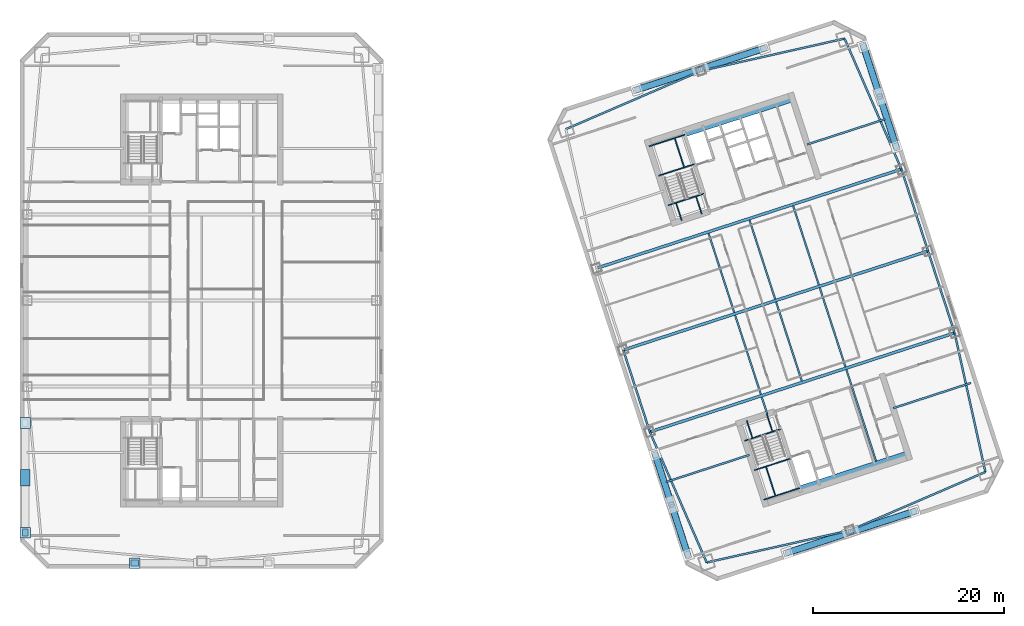
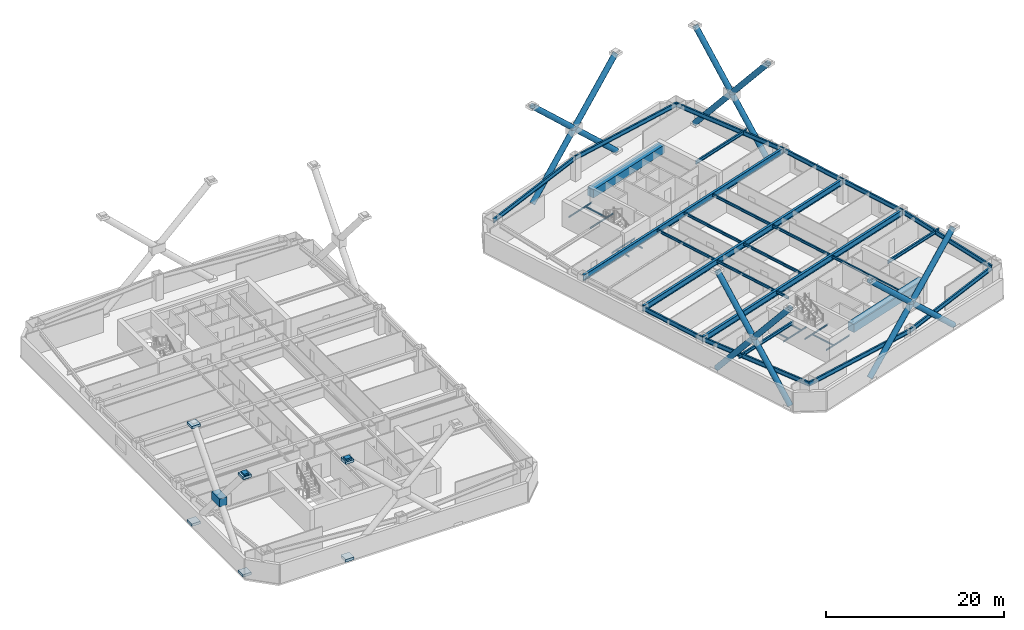
# One storey, part 2 of 12: 38 beams, 16 members, 9 plates.
"""IFC4 building model written with IfcOpenShell, lengths in metres."""

from ifc_helpers import new_model, si_unit, direction, frame, origin, origin_2d, place, context, subcontext, project, spatial, rectangle, hollow_circle, i_section, extrude, material, layer, layer_set, material_profile, profile_set, type_object, element, save


model = new_model("IFC4")

# Units and contexts
model_context = context("Model", 3, precision=1e-05, world=origin(), true_north=direction((0.0, 1.0)))
body_context = subcontext(model_context, "Body", "Model", "MODEL_VIEW")
ifc_project = project(units=[si_unit("LENGTHUNIT", "METRE"), si_unit("AREAUNIT", "SQUARE_METRE"), si_unit("VOLUMEUNIT", "CUBIC_METRE"), si_unit("PLANEANGLEUNIT", "RADIAN"), si_unit("MASSUNIT", "GRAM", prefix="KILO")], contexts=[model_context])

# Site, building, storey
site_placement = place(None, origin())
site = spatial("IfcSite", under=ifc_project, at=site_placement, CompositionType="ELEMENT")
building_placement = place(site_placement, origin())
building = spatial("IfcBuilding", under=site, at=building_placement, Name="Qiaolan Cultural Towers", CompositionType="ELEMENT")
storey_placement = place(building_placement, frame((0.0, 0.0, 106.949951171875)))
storey = spatial("IfcBuildingStorey", under=building, at=storey_placement, Name="L27", CompositionType="ELEMENT", Elevation=106.949951171875)

# Beams
ifc_material_1 = material(Name="Steel Q355B", Category="steel")
ifc_material_profile_1 = material_profile(ifc_material_1, i_section(OverallWidth=0.300048828125, OverallDepth=0.800048828125, WebThickness=0.013916015625, FlangeThickness=0.02587890625, at=origin_2d()), Name="HN800x300x14x26")
ifc_profile_set_1 = profile_set([ifc_material_profile_1], Name="Steel Q355B")
beam_type_1 = type_object("IfcBeamType", Name="BM-HN800x300x14x26", PredefinedType="BEAM", material=ifc_profile_set_1)
for number, where, z_axis, x_axis, name in (
    (1, (76.85107421875, 20.264404296875, 2.7900390625), (0.951056559899, 0.309016860175, 0.0), (-0.309016860175, 0.951056559899, 0.0), "L27 T2 Primary Transverse Girder V1"),
    (2, (74.06982421875, 28.823974609375, 2.7900390625), (0.951056559899, 0.309016860175, 0.0), (-0.309016860175, 0.951056559899, 0.0), "L27 T2 Primary Transverse Girder V2"),
    (3, (71.28857421875, 37.383544921875, 2.7900390625), (0.951056559899, 0.309016860175, 0.0), (-0.309016860175, 0.951056559899, 0.0), "L27 T2 Primary Transverse Girder V3"),
):
    element("IfcBeam", number, at=place(storey_placement, frame(where, z_axis=z_axis, x_axis=x_axis)), inside=storey, type_object=beam_type_1, Name=name, PredefinedType="BEAM", context=body_context, shape_type="SweptSolid", body=[
        extrude(i_section(OverallWidth=0.300048828125, OverallDepth=0.800048828125, WebThickness=0.013916015625, FlangeThickness=0.02587890625, at=origin_2d()), origin(), (0.0, 0.0, 1.0), 33.5),
    ])
ifc_material_2 = material(Name="Steel Q355B", Category="steel")
ifc_material_profile_2 = material_profile(ifc_material_2, i_section(OverallWidth=0.175048828125, OverallDepth=0.35009765625, WebThickness=0.007080078125, FlangeThickness=0.010986328125, at=origin_2d()), Name="HN350x175x7x11")
ifc_profile_set_2 = profile_set([ifc_material_profile_2], Name="Steel Q355B")
beam_type_2 = type_object("IfcBeamType", Name="BM-JST-HN350x175x7x11", PredefinedType="JOIST", material=ifc_profile_set_2)
beam_1_placement = place(storey_placement, frame((89.119384765625, 22.147705078125, 3.01513671875), z_axis=(-0.308933885266, 0.951083516067, 0.0), x_axis=(-0.951083516067, -0.308933885266, 0.0)))
element("IfcBeam", 4, at=beam_1_placement, inside=storey, type_object=beam_type_2, Name="L27 T2 Secondary Floor Joist U1-1", PredefinedType="JOIST", context=body_context, shape_type="SweptSolid", body=[
    extrude(i_section(OverallWidth=0.175048828125, OverallDepth=0.35009765625, WebThickness=0.007080078125, FlangeThickness=0.010986328125, at=origin_2d()), origin(), (0.0, 0.0, 1.0), 1.85009765625),
])
for number, where, z_axis, x_axis, name in (
    (5, (88.455078125, 24.192626953125, 3.01513671875), (-0.309020714809, 0.951055307445, 0.0), (-0.951055307445, -0.309020714809, 0.0), "L27 T2 Secondary Floor Joist U1-2"),
    (6, (85.673828125, 32.752197265625, 3.01513671875), (-0.309020714809, 0.951055307445, 0.0), (-0.951055307445, -0.309020714809, 0.0), "L27 T2 Secondary Floor Joist U1-3"),
    (7, (92.73486328125, 25.583251953125, 3.01513671875), (-0.309020714809, 0.951055307445, 0.0), (-0.951055307445, -0.309020714809, 0.0), "L27 T2 Secondary Floor Joist U2-2"),
    (8, (89.95361328125, 34.142578125, 3.01513671875), (-0.309020714809, 0.951055307445, 0.0), (-0.951055307445, -0.309020714809, 0.0), "L27 T2 Secondary Floor Joist U2-3"),
):
    element("IfcBeam", number, at=place(storey_placement, frame(where, z_axis=z_axis, x_axis=x_axis)), inside=storey, type_object=beam_type_2, Name=name, PredefinedType="JOIST", context=body_context, shape_type="SweptSolid", body=[
        extrude(i_section(OverallWidth=0.175048828125, OverallDepth=0.35009765625, WebThickness=0.007080078125, FlangeThickness=0.010986328125, at=origin_2d()), origin(), (0.0, 0.0, 1.0), 8.699951171875),
    ])
beam_2_placement = place(storey_placement, frame((100.498291015625, 17.222900390625, 3.01513671875), z_axis=(-0.309025649293, 0.951053704098, 0.0), x_axis=(-0.951053704098, -0.309025649293, 0.0)))
element("IfcBeam", 9, at=beam_2_placement, inside=storey, type_object=beam_type_2, Name="L27 T2 Secondary Floor Joist U3-1", PredefinedType="JOIST", context=body_context, shape_type="SweptSolid", body=[
    extrude(i_section(OverallWidth=0.175048828125, OverallDepth=0.35009765625, WebThickness=0.007080078125, FlangeThickness=0.010986328125, at=origin_2d()), origin(), (0.0, 0.0, 1.0), 10.050048828125),
])
for number, where, z_axis, x_axis, name in (
    (10, (97.2998046875, 27.06640625, 3.01513671875), (-0.309020714809, 0.951055307445, 0.0), (-0.951055307445, -0.309020714809, 0.0), "L27 T2 Secondary Floor Joist U3-2"),
    (11, (94.518798828125, 35.6259765625, 3.01513671875), (-0.309020714809, 0.951055307445, 0.0), (-0.951055307445, -0.309020714809, 0.0), "L27 T2 Secondary Floor Joist U3-3"),
):
    element("IfcBeam", number, at=place(storey_placement, frame(where, z_axis=z_axis, x_axis=x_axis)), inside=storey, type_object=beam_type_2, Name=name, PredefinedType="JOIST", context=body_context, shape_type="SweptSolid", body=[
        extrude(i_section(OverallWidth=0.175048828125, OverallDepth=0.35009765625, WebThickness=0.007080078125, FlangeThickness=0.010986328125, at=origin_2d()), origin(), (0.0, 0.0, 1.0), 8.699951171875),
    ])
ifc_material_3 = material(Name="Steel Q355B", Category="steel")
ifc_material_profile_3 = material_profile(ifc_material_3, i_section(OverallWidth=0.199951171875, OverallDepth=0.449951171875, WebThickness=0.009033203125, FlangeThickness=0.013916015625, at=origin_2d()), Name="HN450x200x9x14")
ifc_profile_set_3 = profile_set([ifc_material_profile_3], Name="Steel Q355B")
beam_type_3 = type_object("IfcBeamType", Name="BM-LNT-HN450x200x9x14", PredefinedType="LINTEL", material=ifc_profile_set_3)
beam_3_placement = place(storey_placement, frame((87.252685546875, 17.861083984375, 2.965087890625), z_axis=(-0.951059948176, -0.309006431933, 0.0), x_axis=(0.309006431933, -0.951059948176, 0.0)))
element("IfcBeam", 12, at=beam_3_placement, inside=storey, type_object=beam_type_3, Name="L27 T2 Core Flank Tie Lintel WS", PredefinedType="LINTEL", context=body_context, shape_type="SweptSolid", body=[
    extrude(i_section(OverallWidth=0.199951171875, OverallDepth=0.449951171875, WebThickness=0.009033203125, FlangeThickness=0.013916015625, at=origin_2d()), origin(), (0.0, 0.0, 1.0), 9.14990234375),
])
for number, where, z_axis, x_axis, name in (
    (13, (102.279296875, 22.74365234375, 2.965087890625), (0.951057358187, 0.309014403287, 0.0), (-0.309014403287, 0.951057358187, 0.0), "L27 T2 Core Flank Tie Lintel ES"),
    (14, (93.31787109375, 50.32421875, 2.965087890625), (0.951057358187, 0.309014403287, 0.0), (-0.309014403287, 0.951057358187, 0.0), "L27 T2 Core Flank Tie Lintel EN"),
):
    element("IfcBeam", number, at=place(storey_placement, frame(where, z_axis=z_axis, x_axis=x_axis)), inside=storey, type_object=beam_type_3, Name=name, PredefinedType="LINTEL", context=body_context, shape_type="SweptSolid", body=[
        extrude(i_section(OverallWidth=0.199951171875, OverallDepth=0.449951171875, WebThickness=0.009033203125, FlangeThickness=0.013916015625, at=origin_2d()), origin(), (0.0, 0.0, 1.0), 8.550048828125),
    ])
ifc_material_4 = material(Name="Concrete C50", Category="concrete")
ifc_material_profile_4 = material_profile(ifc_material_4, rectangle(XDim=0.89990234375, YDim=1.10009765625, at=origin_2d()), Name="RC900x1100")
ifc_profile_set_4 = profile_set([ifc_material_profile_4], Name="Concrete C50")
beam_type_4 = type_object("IfcBeamType", Name="BM-RC900x1100", PredefinedType="BEAM", material=ifc_profile_set_4)
for number, where, z_axis, x_axis, name in (
    (15, (92.572265625, 14.174560546875, 2.64013671875), (0.951056266386, 0.309017763514, 0.0), (-0.309017763514, 0.951056266386, 0.0), "L27 T2 Core Header Girder S"),
    (16, (80.427978515625, 51.551025390625, 2.64013671875), (0.951056266386, 0.309017763514, 0.0), (-0.309017763514, 0.951056266386, 0.0), "L27 T2 Core Header Girder N"),
):
    element("IfcBeam", number, at=place(storey_placement, frame(where, z_axis=z_axis, x_axis=x_axis)), inside=storey, type_object=beam_type_4, Name=name, PredefinedType="BEAM", context=body_context, shape_type="SweptSolid", body=[
        extrude(rectangle(XDim=0.89990234375, YDim=1.10009765625, at=origin_2d()), origin(), (0.0, 0.0, 1.0), 11.880126953125),
    ])
ifc_material_5 = material(Name="Steel Q355B", Category="steel")
ifc_material_profile_5 = material_profile(ifc_material_5, i_section(OverallWidth=0.199951171875, OverallDepth=0.60009765625, WebThickness=0.010986328125, FlangeThickness=0.01708984375, at=origin_2d()), Name="HN600x200x11x17")
ifc_profile_set_5 = profile_set([ifc_material_profile_5], Name="Steel Q355B")
beam_type_5 = type_object("IfcBeamType", Name="BM-SPD-HN600x200x11x17", PredefinedType="SPANDREL", material=ifc_profile_set_5)
beam_4_placement = place(storey_placement, frame((82.79052734375, 6.611572265625, 2.89013671875), z_axis=(0.975658154374, 0.219296980836, 0.0), x_axis=(-0.219296980836, 0.975658154374, 0.0)))
element("IfcBeam", 17, at=beam_4_placement, inside=storey, type_object=beam_type_5, Name="L27 T2 Perimeter Spandrel Beam 1", PredefinedType="SPANDREL", context=body_context, shape_type="SweptSolid", body=[
    extrude(i_section(OverallWidth=0.199951171875, OverallDepth=0.60009765625, WebThickness=0.010986328125, FlangeThickness=0.01708984375, at=origin_2d()), origin(), (0.0, 0.0, 1.0), 15.38671875),
])
beam_5_placement = place(storey_placement, frame((97.802734375, 9.98583984375, 2.89013671875), z_axis=(0.918217549337, 0.396076422032, 0.0), x_axis=(-0.396076422032, 0.918217549337, 0.0)))
element("IfcBeam", 18, at=beam_5_placement, inside=storey, type_object=beam_type_5, Name="L27 T2 Perimeter Spandrel Beam 2", PredefinedType="SPANDREL", context=body_context, shape_type="SweptSolid", body=[
    extrude(i_section(OverallWidth=0.199951171875, OverallDepth=0.60009765625, WebThickness=0.010986328125, FlangeThickness=0.01708984375, at=origin_2d()), origin(), (0.0, 0.0, 1.0), 15.386474609375),
])
beam_6_placement = place(storey_placement, frame((111.930908203125, 16.080078125, 2.89013671875), z_axis=(-0.216237644833, 0.976340760676, 0.0), x_axis=(-0.976340760676, -0.216237644833, 0.0)))
element("IfcBeam", 19, at=beam_6_placement, inside=storey, type_object=beam_type_5, Name="L27 T2 Perimeter Spandrel Beam 3", PredefinedType="SPANDREL", context=body_context, shape_type="SweptSolid", body=[
    extrude(i_section(OverallWidth=0.199951171875, OverallDepth=0.60009765625, WebThickness=0.010986328125, FlangeThickness=0.01708984375, at=origin_2d()), origin(), (0.0, 0.0, 1.0), 14.888671875),
])
for number, where, z_axis, x_axis, name in (
    (20, (108.71142578125, 30.616455078125, 2.89013671875), (-0.309024734286, 0.951054001411, 0.0), (-0.951054001411, -0.309024734286, 0.0), "L27 T2 Perimeter Spandrel Beam 4"),
    (21, (105.93017578125, 39.176025390625, 2.89013671875), (-0.309024734286, 0.951054001411, 0.0), (-0.951054001411, -0.309024734286, 0.0), "L27 T2 Perimeter Spandrel Beam 5"),
):
    element("IfcBeam", number, at=place(storey_placement, frame(where, z_axis=z_axis, x_axis=x_axis)), inside=storey, type_object=beam_type_5, Name=name, PredefinedType="SPANDREL", context=body_context, shape_type="SweptSolid", body=[
        extrude(i_section(OverallWidth=0.199951171875, OverallDepth=0.60009765625, WebThickness=0.010986328125, FlangeThickness=0.01708984375, at=origin_2d()), origin(), (0.0, 0.0, 1.0), 9.0),
    ])
beam_7_placement = place(storey_placement, frame((103.14892578125, 47.735595703125, 2.89013671875), z_axis=(-0.398920370799, 0.916985571185, 0.0), x_axis=(-0.916985571185, -0.398920370799, 0.0)))
element("IfcBeam", 22, at=beam_7_placement, inside=storey, type_object=beam_type_5, Name="L27 T2 Perimeter Spandrel Beam 6", PredefinedType="SPANDREL", context=body_context, shape_type="SweptSolid", body=[
    extrude(i_section(OverallWidth=0.199951171875, OverallDepth=0.60009765625, WebThickness=0.010986328125, FlangeThickness=0.01708984375, at=origin_2d()), origin(), (0.0, 0.0, 1.0), 14.888916015625),
])
beam_8_placement = place(storey_placement, frame((97.20947265625, 61.388427734375, 2.89013671875), z_axis=(-0.975658154374, -0.219296980836, 0.0), x_axis=(0.219296980836, -0.975658154374, 0.0)))
element("IfcBeam", 23, at=beam_8_placement, inside=storey, type_object=beam_type_5, Name="L27 T2 Perimeter Spandrel Beam 7", PredefinedType="SPANDREL", context=body_context, shape_type="SweptSolid", body=[
    extrude(i_section(OverallWidth=0.199951171875, OverallDepth=0.60009765625, WebThickness=0.010986328125, FlangeThickness=0.01708984375, at=origin_2d()), origin(), (0.0, 0.0, 1.0), 15.38671875),
])
beam_9_placement = place(storey_placement, frame((82.197265625, 58.01416015625, 2.89013671875), z_axis=(-0.918217549337, -0.396076422032, 0.0), x_axis=(0.396076422032, -0.918217549337, 0.0)))
element("IfcBeam", 24, at=beam_9_placement, inside=storey, type_object=beam_type_5, Name="L27 T2 Perimeter Spandrel Beam 8", PredefinedType="SPANDREL", context=body_context, shape_type="SweptSolid", body=[
    extrude(i_section(OverallWidth=0.199951171875, OverallDepth=0.60009765625, WebThickness=0.010986328125, FlangeThickness=0.01708984375, at=origin_2d()), origin(), (0.0, 0.0, 1.0), 15.386474609375),
])
beam_10_placement = place(storey_placement, frame((74.06982421875, 28.823974609375, 2.89013671875), z_axis=(0.309024734286, -0.951054001411, 0.0), x_axis=(0.951054001411, 0.309024734286, 0.0)))
element("IfcBeam", 25, at=beam_10_placement, inside=storey, type_object=beam_type_5, Name="L27 T2 Perimeter Spandrel Beam 11", PredefinedType="SPANDREL", context=body_context, shape_type="SweptSolid", body=[
    extrude(i_section(OverallWidth=0.199951171875, OverallDepth=0.60009765625, WebThickness=0.010986328125, FlangeThickness=0.01708984375, at=origin_2d()), origin(), (0.0, 0.0, 1.0), 9.0),
])
beam_11_placement = place(storey_placement, frame((76.85107421875, 20.264404296875, 2.89013671875), z_axis=(0.398920370799, -0.916985571185, 0.0), x_axis=(0.916985571185, 0.398920370799, 0.0)))
element("IfcBeam", 26, at=beam_11_placement, inside=storey, type_object=beam_type_5, Name="L27 T2 Perimeter Spandrel Beam 12", PredefinedType="SPANDREL", context=body_context, shape_type="SweptSolid", body=[
    extrude(i_section(OverallWidth=0.199951171875, OverallDepth=0.60009765625, WebThickness=0.010986328125, FlangeThickness=0.01708984375, at=origin_2d()), origin(), (0.0, 0.0, 1.0), 14.888916015625),
])
ifc_material_6 = material(Name="Steel Q355B", Category="steel")
ifc_material_profile_6 = material_profile(ifc_material_6, i_section(OverallWidth=0.10009765625, OverallDepth=0.199951171875, WebThickness=0.005615234375, FlangeThickness=0.008056640625, at=origin_2d()), Name="HN200x100x5.5x8")
ifc_profile_set_6 = profile_set([ifc_material_profile_6], Name="Steel Q355B")
beam_type_6 = type_object("IfcBeamType", Name="BM-STTRIM-200", PredefinedType="BEAM", material=ifc_profile_set_6)
beam_12_placement = place(storey_placement, frame((86.770751953125, 19.3447265625, -0.4599609375), z_axis=(0.951047798727, 0.309043823005, 0.0), x_axis=(-0.309043823005, 0.951047798727, 0.0)))
element("IfcBeam", 27, at=beam_12_placement, inside=storey, type_object=beam_type_6, Name="L27 ST-E1 Floor Landing Header Beam", PredefinedType="BEAM", context=body_context, shape_type="SweptSolid", body=[
    extrude(i_section(OverallWidth=0.10009765625, OverallDepth=0.199951171875, WebThickness=0.005615234375, FlangeThickness=0.008056640625, at=origin_2d()), origin(), (0.0, 0.0, 1.0), 3.919921875),
])
for number, where, z_axis, x_axis, name in (
    (28, (86.9794921875, 21.452392578125, -0.4599609375), (0.309083226701, -0.951034993558, 0.0), (0.951034993558, 0.309083226701, 0.0), "L27 ST-E1 Floor Landing Stringer 1"),
    (29, (89.07177734375, 22.13232421875, -0.4599609375), (0.309083226701, -0.951034993558, 0.0), (0.951034993558, 0.309083226701, 0.0), "L27 ST-E1 Floor Landing Stringer 2"),
):
    element("IfcBeam", number, at=place(storey_placement, frame(where, z_axis=z_axis, x_axis=x_axis)), inside=storey, type_object=beam_type_6, Name=name, PredefinedType="BEAM", context=body_context, shape_type="SweptSolid", body=[
        extrude(i_section(OverallWidth=0.10009765625, OverallDepth=0.199951171875, WebThickness=0.005615234375, FlangeThickness=0.008056640625, at=origin_2d()), origin(), (0.0, 0.0, 1.0), 1.93994140625),
    ])
for number, where, z_axis, x_axis, name in (
    (30, (87.774658203125, 16.255126953125, 1.425048828125), (0.951047798727, 0.309043823005, 0.0), (-0.309043823005, 0.951047798727, 0.0), "L27 ST-E1 Stair Landing Support Beam 1-1"),
    (31, (88.773193359375, 13.181884765625, 1.425048828125), (0.951047798727, 0.309043823005, 0.0), (-0.309043823005, 0.951047798727, 0.0), "L27 ST-E1 Stair Landing Support Beam 1-2"),
):
    element("IfcBeam", number, at=place(storey_placement, frame(where, z_axis=z_axis, x_axis=x_axis)), inside=storey, type_object=beam_type_6, Name=name, PredefinedType="BEAM", context=body_context, shape_type="SweptSolid", body=[
        extrude(i_section(OverallWidth=0.10009765625, OverallDepth=0.199951171875, WebThickness=0.005615234375, FlangeThickness=0.008056640625, at=origin_2d()), origin(), (0.0, 0.0, 1.0), 3.919921875),
    ])
beam_13_placement = place(storey_placement, frame((88.982421875, 16.6474609375, 1.425048828125), z_axis=(0.309033108495, -0.951051280349, 0.0), x_axis=(0.951051280349, 0.309033108495, 0.0)))
element("IfcBeam", 32, at=beam_13_placement, inside=storey, type_object=beam_type_6, Name="L27 ST-E1 Stair Landing Trimmer 1", PredefinedType="BEAM", context=body_context, shape_type="SweptSolid", body=[
    extrude(i_section(OverallWidth=0.10009765625, OverallDepth=0.199951171875, WebThickness=0.005615234375, FlangeThickness=0.008056640625, at=origin_2d()), origin(), (0.0, 0.0, 1.0), 3.231201171875),
])
beam_14_placement = place(storey_placement, frame((78.773193359375, 43.958251953125, -0.4599609375), z_axis=(0.951072048947, 0.3089691857, 0.0), x_axis=(-0.3089691857, 0.951072048947, 0.0)))
element("IfcBeam", 33, at=beam_14_placement, inside=storey, type_object=beam_type_6, Name="L27 ST-E2 Floor Landing Header Beam", PredefinedType="BEAM", context=body_context, shape_type="SweptSolid", body=[
    extrude(i_section(OverallWidth=0.10009765625, OverallDepth=0.199951171875, WebThickness=0.005615234375, FlangeThickness=0.008056640625, at=origin_2d()), origin(), (0.0, 0.0, 1.0), 3.920166015625),
])
for number, where, z_axis, x_axis, name in (
    (34, (80.18115234375, 42.375732421875, -0.4599609375), (-0.308969394428, 0.951071981138, 0.0), (-0.951071981138, -0.308969394428, 0.0), "L27 ST-E2 Floor Landing Stringer 1"),
    (35, (82.2734375, 43.0556640625, -0.4599609375), (-0.308969394428, 0.951071981138, 0.0), (-0.951071981138, -0.308969394428, 0.0), "L27 ST-E2 Floor Landing Stringer 2"),
):
    element("IfcBeam", number, at=place(storey_placement, frame(where, z_axis=z_axis, x_axis=x_axis)), inside=storey, type_object=beam_type_6, Name=name, PredefinedType="BEAM", context=body_context, shape_type="SweptSolid", body=[
        extrude(i_section(OverallWidth=0.10009765625, OverallDepth=0.199951171875, WebThickness=0.005615234375, FlangeThickness=0.008056640625, at=origin_2d()), origin(), (0.0, 0.0, 1.0), 1.93994140625),
    ])
for number, where, z_axis, x_axis, name in (
    (36, (77.769287109375, 47.0478515625, 1.425048828125), (0.951053746643, 0.309025518358, 0.0), (-0.309025518358, 0.951053746643, 0.0), "L27 ST-E2 Stair Landing Support Beam 1-1"),
    (37, (76.770751953125, 50.12109375, 1.425048828125), (0.951072048947, 0.3089691857, 0.0), (-0.3089691857, 0.951072048947, 0.0), "L27 ST-E2 Stair Landing Support Beam 1-2"),
):
    element("IfcBeam", number, at=place(storey_placement, frame(where, z_axis=z_axis, x_axis=x_axis)), inside=storey, type_object=beam_type_6, Name=name, PredefinedType="BEAM", context=body_context, shape_type="SweptSolid", body=[
        extrude(i_section(OverallWidth=0.10009765625, OverallDepth=0.199951171875, WebThickness=0.005615234375, FlangeThickness=0.008056640625, at=origin_2d()), origin(), (0.0, 0.0, 1.0), 3.920166015625),
    ])
beam_15_placement = place(storey_placement, frame((80.44189453125, 47.916259765625, 1.425048828125), z_axis=(-0.309033108495, 0.951051280349, 0.0), x_axis=(-0.951051280349, -0.309033108495, 0.0)))
element("IfcBeam", 38, at=beam_15_placement, inside=storey, type_object=beam_type_6, Name="L27 ST-E2 Stair Landing Trimmer 1", PredefinedType="BEAM", context=body_context, shape_type="SweptSolid", body=[
    extrude(i_section(OverallWidth=0.10009765625, OverallDepth=0.199951171875, WebThickness=0.005615234375, FlangeThickness=0.008056640625, at=origin_2d()), origin(), (0.0, 0.0, 1.0), 3.231201171875),
])

# Members
ifc_material_7 = material(Name="Steel Q355B", Category="steel")
ifc_material_profile_7 = material_profile(ifc_material_7, hollow_circle(Radius=0.35009765625, WallThickness=0.034912109375, at=origin_2d()), Name="CHS700x35")
ifc_profile_set_7 = profile_set([ifc_material_profile_7], Name="Steel Q355B")
member_type = type_object("IfcMemberType", Name="MBR-BRC-CHS700x35", PredefinedType="BRACE", material=ifc_profile_set_7)
member_1_placement = place(storey_placement, frame((80.817138671875, 7.410888671875, 0.150146484375), z_axis=(-0.19706247337, 0.606430599707, 0.770330000278), x_axis=(-0.951046732174, -0.309047105182, 0.0)))
element("IfcMember", 39, at=member_1_placement, inside=storey, type_object=member_type, Name="T2 WEST Perimeter Frame Diagonal E-Z2-M3-D1A", PredefinedType="BRACE", context=body_context, shape_type="SweptSolid", body=[
    extrude(hollow_circle(Radius=0.35009765625, WallThickness=0.034912109375, at=origin_2d()), origin(), (0.0, 0.0, 1.0), 8.664794921875),
])
member_2_placement = place(storey_placement, frame((79.109619140625, 12.66552734375, 6.824951171875), z_axis=(-0.197031114792, 0.606420804185, 0.770345732808), x_axis=(-0.951059719012, -0.309007137251, 0.0)))
element("IfcMember", 40, at=member_2_placement, inside=storey, type_object=member_type, Name="T2 WEST Perimeter Frame Diagonal E-Z2-M3-D1B", PredefinedType="BRACE", context=body_context, shape_type="SweptSolid", body=[
    extrude(hollow_circle(Radius=0.35009765625, WallThickness=0.034912109375, at=origin_2d()), origin(), (0.0, 0.0, 1.0), 8.6650390625),
])
member_3_placement = place(storey_placement, frame((77.40234375, 17.920166015625, 0.150146484375), z_axis=(0.197035391385, -0.606433966651, 0.770334277203), x_axis=(0.951059719012, 0.309007137251, 0.0)))
element("IfcMember", 41, at=member_3_placement, inside=storey, type_object=member_type, Name="T2 WEST Perimeter Frame Diagonal E-Z2-M3-D2A", PredefinedType="BRACE", context=body_context, shape_type="SweptSolid", body=[
    extrude(hollow_circle(Radius=0.35009765625, WallThickness=0.034912109375, at=origin_2d()), origin(), (0.0, 0.0, 1.0), 8.664794921875),
])
member_4_placement = place(storey_placement, frame((79.109619140625, 12.66552734375, 6.824951171875), z_axis=(0.197058196236, -0.60641743746, 0.770341456005), x_axis=(0.951046732174, 0.309047105182, 0.0)))
element("IfcMember", 42, at=member_4_placement, inside=storey, type_object=member_type, Name="T2 WEST Perimeter Frame Diagonal E-Z2-M3-D2B", PredefinedType="BRACE", context=body_context, shape_type="SweptSolid", body=[
    extrude(hollow_circle(Radius=0.35009765625, WallThickness=0.034912109375, at=origin_2d()), origin(), (0.0, 0.0, 1.0), 8.6650390625),
])
member_5_placement = place(storey_placement, frame((102.59765625, 50.079833984375, 0.150146484375), z_axis=(-0.197035391385, 0.606433966651, 0.770334277203), x_axis=(-0.951059719012, -0.309007137251, 0.0)))
element("IfcMember", 43, at=member_5_placement, inside=storey, type_object=member_type, Name="T2 EAST Perimeter Frame Diagonal E-Z2-M3-D1A", PredefinedType="BRACE", context=body_context, shape_type="SweptSolid", body=[
    extrude(hollow_circle(Radius=0.35009765625, WallThickness=0.034912109375, at=origin_2d()), origin(), (0.0, 0.0, 1.0), 8.664794921875),
])
member_6_placement = place(storey_placement, frame((100.890380859375, 55.33447265625, 6.824951171875), z_axis=(-0.197058196236, 0.60641743746, 0.770341456005), x_axis=(-0.951046732174, -0.309047105182, 0.0)))
element("IfcMember", 44, at=member_6_placement, inside=storey, type_object=member_type, Name="T2 EAST Perimeter Frame Diagonal E-Z2-M3-D1B", PredefinedType="BRACE", context=body_context, shape_type="SweptSolid", body=[
    extrude(hollow_circle(Radius=0.35009765625, WallThickness=0.034912109375, at=origin_2d()), origin(), (0.0, 0.0, 1.0), 8.6650390625),
])
member_7_placement = place(storey_placement, frame((99.182861328125, 60.589111328125, 0.150146484375), z_axis=(0.19706247337, -0.606430599707, 0.770330000278), x_axis=(0.951046732174, 0.309047105182, 0.0)))
element("IfcMember", 45, at=member_7_placement, inside=storey, type_object=member_type, Name="T2 EAST Perimeter Frame Diagonal E-Z2-M3-D2A", PredefinedType="BRACE", context=body_context, shape_type="SweptSolid", body=[
    extrude(hollow_circle(Radius=0.35009765625, WallThickness=0.034912109375, at=origin_2d()), origin(), (0.0, 0.0, 1.0), 8.664794921875),
])
member_8_placement = place(storey_placement, frame((100.890380859375, 55.33447265625, 6.824951171875), z_axis=(0.197031114792, -0.606420804185, 0.770345732808), x_axis=(0.951059719012, 0.309007137251, 0.0)))
element("IfcMember", 46, at=member_8_placement, inside=storey, type_object=member_type, Name="T2 EAST Perimeter Frame Diagonal E-Z2-M3-D2B", PredefinedType="BRACE", context=body_context, shape_type="SweptSolid", body=[
    extrude(hollow_circle(Radius=0.35009765625, WallThickness=0.034912109375, at=origin_2d()), origin(), (0.0, 0.0, 1.0), 8.6650390625),
])
member_9_placement = place(storey_placement, frame((91.20703125, 7.632568359375, 0.150146484375), z_axis=(0.688300959012, 0.223636601887, 0.690093080765), x_axis=(-0.309009574742, 0.951058927048, 0.0)))
element("IfcMember", 47, at=member_9_placement, inside=storey, type_object=member_type, Name="T2 SOUTH Perimeter Frame Diagonal E-Z2-M3-D1A", PredefinedType="BRACE", context=body_context, shape_type="SweptSolid", body=[
    extrude(hollow_circle(Radius=0.35009765625, WallThickness=0.034912109375, at=origin_2d()), origin(), (0.0, 0.0, 1.0), 9.67236328125),
])
member_10_placement = place(storey_placement, frame((97.864501953125, 9.795654296875, 6.824951171875), z_axis=(0.688288969768, 0.223632706448, 0.690106301016), x_axis=(-0.309009574742, 0.951058927048, 0.0)))
element("IfcMember", 48, at=member_10_placement, inside=storey, type_object=member_type, Name="T2 SOUTH Perimeter Frame Diagonal E-Z2-M3-D1B", PredefinedType="BRACE", context=body_context, shape_type="SweptSolid", body=[
    extrude(hollow_circle(Radius=0.35009765625, WallThickness=0.034912109375, at=origin_2d()), origin(), (0.0, 0.0, 1.0), 9.672607421875),
])
member_11_placement = place(storey_placement, frame((104.52197265625, 11.958740234375, 0.150146484375), z_axis=(-0.688300959012, -0.223636601887, 0.690093080765), x_axis=(0.309009574742, -0.951058927048, 0.0)))
element("IfcMember", 49, at=member_11_placement, inside=storey, type_object=member_type, Name="T2 SOUTH Perimeter Frame Diagonal E-Z2-M3-D2A", PredefinedType="BRACE", context=body_context, shape_type="SweptSolid", body=[
    extrude(hollow_circle(Radius=0.35009765625, WallThickness=0.034912109375, at=origin_2d()), origin(), (0.0, 0.0, 1.0), 9.67236328125),
])
member_12_placement = place(storey_placement, frame((97.864501953125, 9.795654296875, 6.824951171875), z_axis=(-0.688288969768, -0.223632706448, 0.690106301016), x_axis=(0.309009574742, -0.951058927048, 0.0)))
element("IfcMember", 50, at=member_12_placement, inside=storey, type_object=member_type, Name="T2 SOUTH Perimeter Frame Diagonal E-Z2-M3-D2B", PredefinedType="BRACE", context=body_context, shape_type="SweptSolid", body=[
    extrude(hollow_circle(Radius=0.35009765625, WallThickness=0.034912109375, at=origin_2d()), origin(), (0.0, 0.0, 1.0), 9.672607421875),
])
member_13_placement = place(storey_placement, frame((75.47802734375, 56.041259765625, 0.150146484375), z_axis=(0.688300959012, 0.223636601887, 0.690093080765), x_axis=(-0.309009574742, 0.951058927048, 0.0)))
element("IfcMember", 51, at=member_13_placement, inside=storey, type_object=member_type, Name="T2 NORTH Perimeter Frame Diagonal E-Z2-M3-D1A", PredefinedType="BRACE", context=body_context, shape_type="SweptSolid", body=[
    extrude(hollow_circle(Radius=0.35009765625, WallThickness=0.034912109375, at=origin_2d()), origin(), (0.0, 0.0, 1.0), 9.67236328125),
])
member_14_placement = place(storey_placement, frame((82.135498046875, 58.204345703125, 6.824951171875), z_axis=(0.688288969768, 0.223632706448, 0.690106301016), x_axis=(-0.309009574742, 0.951058927048, 0.0)))
element("IfcMember", 52, at=member_14_placement, inside=storey, type_object=member_type, Name="T2 NORTH Perimeter Frame Diagonal E-Z2-M3-D1B", PredefinedType="BRACE", context=body_context, shape_type="SweptSolid", body=[
    extrude(hollow_circle(Radius=0.35009765625, WallThickness=0.034912109375, at=origin_2d()), origin(), (0.0, 0.0, 1.0), 9.672607421875),
])
member_15_placement = place(storey_placement, frame((88.79296875, 60.367431640625, 0.150146484375), z_axis=(-0.688300959012, -0.223636601887, 0.690093080765), x_axis=(0.309009574742, -0.951058927048, 0.0)))
element("IfcMember", 53, at=member_15_placement, inside=storey, type_object=member_type, Name="T2 NORTH Perimeter Frame Diagonal E-Z2-M3-D2A", PredefinedType="BRACE", context=body_context, shape_type="SweptSolid", body=[
    extrude(hollow_circle(Radius=0.35009765625, WallThickness=0.034912109375, at=origin_2d()), origin(), (0.0, 0.0, 1.0), 9.67236328125),
])
member_16_placement = place(storey_placement, frame((82.135498046875, 58.204345703125, 6.824951171875), z_axis=(-0.688288969768, -0.223632706448, 0.690106301016), x_axis=(0.309009574742, -0.951058927048, 0.0)))
element("IfcMember", 54, at=member_16_placement, inside=storey, type_object=member_type, Name="T2 NORTH Perimeter Frame Diagonal E-Z2-M3-D2B", PredefinedType="BRACE", context=body_context, shape_type="SweptSolid", body=[
    extrude(hollow_circle(Radius=0.35009765625, WallThickness=0.034912109375, at=origin_2d()), origin(), (0.0, 0.0, 1.0), 9.672607421875),
])

# Plates
ifc_material_8 = material(Name="Steel Q355B", Category="steel")
ifc_layer_1 = layer(ifc_material_8, 0.035888671875)
ifc_layer_set_1 = layer_set([ifc_layer_1], Name="Steel Q355B")
plate_type_1 = type_object("IfcPlateType", Name="PL-CONN-36", PredefinedType="USERDEFINED", material=ifc_layer_set_1)
for number, where, z_axis, x_axis, name in (
    (55, (11.550048828125, 9.75, 13.1298828125), (0.0, 0.0, 1.0), (0.0, 1.0, 0.0), "L27 Brace End Connection Gusset Plate GP-02-0261"),
    (56, (23.0, 6.550048828125, 13.1298828125), (0.0, 0.0, 1.0), (1.0, 0.0, 0.0), "L27 Brace End Connection Gusset Plate GP-02-0265"),
):
    element("IfcPlate", number, at=place(storey_placement, frame(where, z_axis=z_axis, x_axis=x_axis)), inside=storey, type_object=plate_type_1, Name=name, ObjectType="GUSSET_PLATE", PredefinedType="USERDEFINED", context=body_context, shape_type="SweptSolid", body=[
        extrude(rectangle(XDim=0.739990234375, YDim=0.6201171875, at=origin_2d()), origin(), (0.0, 0.0, 1.0), 0.739990234375),
    ])
ifc_material_9 = material(Name="Steel Q355B", Category="steel")
ifc_layer_2 = layer(ifc_material_9, 0.030029296875)
ifc_layer_set_2 = layer_set([ifc_layer_2], Name="Steel Q355B")
plate_type_2 = type_object("IfcPlateType", Name="PL-ENDCAP-30", PredefinedType="USERDEFINED", material=ifc_layer_set_2)
for number, where, z_axis, x_axis, name in (
    (57, (11.550048828125, 9.75, -0.02490234375), (0.0, 0.0, 1.0), (0.0, 1.0, 0.0), "Hollow Brace End Seal Cap Plate CP-01"),
    (58, (11.550048828125, 21.199951171875, -0.02490234375), (0.0, 0.0, 1.0), (0.0, 1.0, 0.0), "Hollow Brace End Seal Cap Plate CP-01"),
    (59, (11.550048828125, 9.75, 13.324951171875), (0.0, 0.0, 1.0), (0.0, 1.0, 0.0), "Hollow Brace End Seal Cap Plate CP-01"),
    (60, (11.550048828125, 21.199951171875, 13.324951171875), (0.0, 0.0, 1.0), (0.0, 1.0, 0.0), "Hollow Brace End Seal Cap Plate CP-01"),
    (61, (23.0, 6.550048828125, -0.02490234375), (0.0, 0.0, 1.0), (1.0, 0.0, 0.0), "Hollow Brace End Seal Cap Plate CP-01"),
    (62, (23.0, 6.550048828125, 13.324951171875), (0.0, 0.0, 1.0), (1.0, 0.0, 0.0), "Hollow Brace End Seal Cap Plate CP-01"),
):
    element("IfcPlate", number, at=place(storey_placement, frame(where, z_axis=z_axis, x_axis=x_axis)), inside=storey, type_object=plate_type_2, Name=name, ObjectType="BASE_PLATE", PredefinedType="USERDEFINED", context=body_context, shape_type="SweptSolid", body=[
        extrude(rectangle(XDim=1.10009765625, YDim=1.10009765625, at=origin_2d()), origin(), (0.0, 0.0, 1.0), 0.35009765625),
    ])
ifc_material_10 = material(Name="Steel Q390GJB", Category="steel")
ifc_layer_3 = layer(ifc_material_10, 0.0439453125)
ifc_layer_set_3 = layer_set([ifc_layer_3], Name="Steel Q390GJB")
plate_type_3 = type_object("IfcPlateType", Name="PL-NODE-ND10", PredefinedType="USERDEFINED", material=ifc_layer_set_3)
plate_placement = place(storey_placement, frame((11.550048828125, 15.47509765625, 6.27490234375), z_axis=(0.0, 0.0, 1.0), x_axis=(0.0, 1.0, 0.0)))
element("IfcPlate", 63, at=plate_placement, inside=storey, type_object=plate_type_3, Name="Perimeter Frame Gusset Node Assembly ND-10", ObjectType="GUSSET_PLATE", PredefinedType="USERDEFINED", context=body_context, shape_type="SweptSolid", body=[
    extrude(rectangle(XDim=1.760009765625, YDim=0.9599609375, at=origin_2d()), origin(), (0.0, 0.0, 1.0), 1.10009765625),
])

save(model, "model.ifc")
